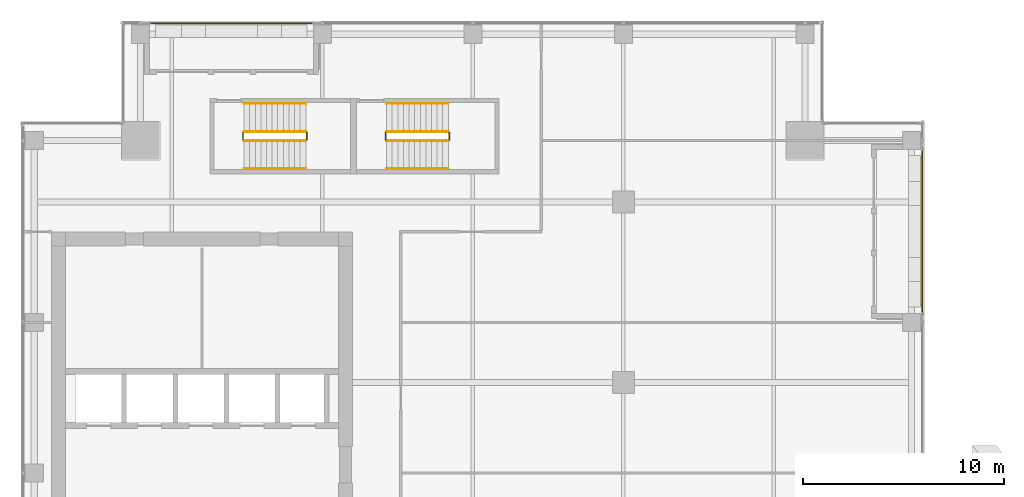
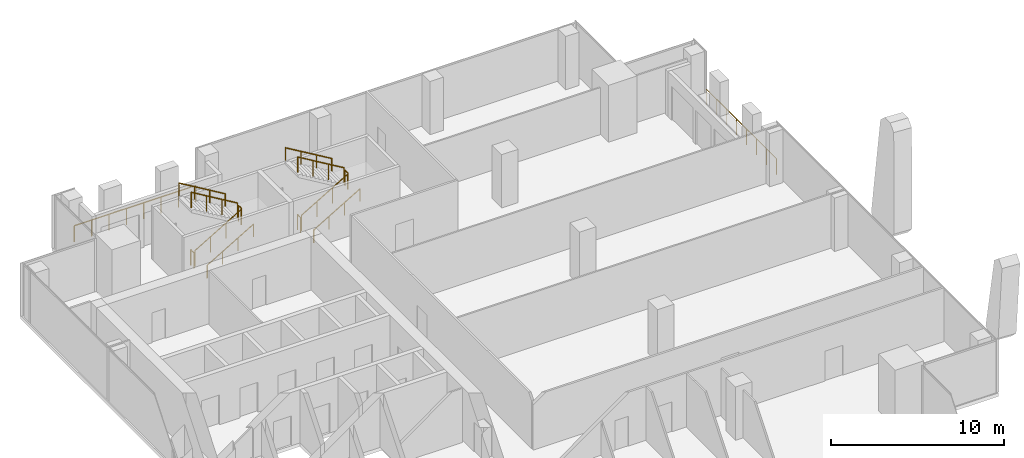
# One storey, part 34 of 35: 14 railings.
"""IFC4 building model written with IfcOpenShell, lengths in metres."""

import ifcopenshell
import ifcopenshell.guid

model = None  # the IFC model being written
_history = None  # IfcOwnerHistory: only IFC2X3 demands one
_inside = {}  # id of a spatial element -> (the spatial element, [elements in it])
_under = {}  # id of a project, library or spatial element -> (it, [spatial elements below it])
_declared = {}  # id of a project -> (the project, [libraries it declares])
_typed = {}  # id of a type object -> (the type object, [elements of that type])
_made_of = {}  # id of a material, layer set ... -> (it, [elements and type objects made of it])


def new_model(schema):
    """Start an empty IFC model of exactly this schema.

    Asked for "IFC4X3", IfcOpenShell would pick the latest addendum, in which some entities
    have other attributes; the version numbers below select the first issue.
    IFC2X3 requires an IfcOwnerHistory on every rooted entity: one is made here for all.
    """
    global model, _history
    if schema == "IFC4X3":
        model = ifcopenshell.file(schema_version=(4, 3, 0, 0))
    else:
        model = ifcopenshell.file(schema=schema)
    _inside.clear()
    _under.clear()
    _declared.clear()
    _typed.clear()
    _made_of.clear()
    _history = None
    if model.schema == "IFC2X3":
        org = make("IfcOrganization", Name="unknown")
        user = make(
            "IfcPersonAndOrganization",
            ThePerson=make("IfcPerson", FamilyName="unknown"),
            TheOrganization=org,
        )
        app = make(
            "IfcApplication",
            ApplicationDeveloper=org,
            Version="unknown",
            ApplicationFullName="unknown",
            ApplicationIdentifier="unknown",
        )
        _history = make(
            "IfcOwnerHistory",
            OwningUser=user,
            OwningApplication=app,
            ChangeAction="ADDED",
            CreationDate=0,
        )
    return model


def make(cls, **values):
    """One entity of the class cls with the attributes given. An attribute that is None is left unset."""
    return model.create_entity(
        cls, **{name: value for name, value in values.items() if value is not None}
    )


def rooted(cls, **values):
    """An entity with a GlobalId (a new one), such as an element, a storey or a relation."""
    return make(cls, GlobalId=ifcopenshell.guid.new(), OwnerHistory=_history, **values)


def si_unit(unit_type, name, prefix=None):
    """IfcSIUnit, for example si_unit("LENGTHUNIT", "METRE", prefix="MILLI")."""
    return make("IfcSIUnit", UnitType=unit_type, Prefix=prefix, Name=name)


def assignment(units):
    """IfcUnitAssignment: the units of a project."""
    return None if units is None else make("IfcUnitAssignment", Units=units)


def point(xyz):
    """IfcCartesianPoint."""
    return None if xyz is None else make("IfcCartesianPoint", Coordinates=xyz)


def direction(xyz):
    """IfcDirection."""
    return None if xyz is None else make("IfcDirection", DirectionRatios=xyz)


def frame(location, z_axis=None, x_axis=None):
    """IfcAxis2Placement3D, a coordinate frame: its origin and axes. An axis left out is left unset."""
    return make(
        "IfcAxis2Placement3D",
        Location=point(location),
        Axis=direction(z_axis),
        RefDirection=direction(x_axis),
    )


def frame_2d(location, x_axis=None):
    """IfcAxis2Placement2D, a coordinate frame in the plane: its origin and x axis."""
    return make(
        "IfcAxis2Placement2D", Location=point(location), RefDirection=direction(x_axis)
    )


def origin():
    """The frame at (0, 0, 0) with its axes left unset."""
    return frame((0.0, 0.0, 0.0))


def origin_2d():
    """The frame at (0, 0) in the plane with its x axis left unset."""
    return frame_2d((0.0, 0.0))


def place(relative_to, where):
    """IfcLocalPlacement: puts the frame where relative to a parent placement (None: the world)."""
    return make(
        "IfcLocalPlacement", PlacementRelTo=relative_to, RelativePlacement=where
    )


def context(
    kind, dimensions, precision=None, world=None, true_north=None, identifier=None
):
    """IfcGeometricRepresentationContext, for example the 3D "Model" context."""
    return make(
        "IfcGeometricRepresentationContext",
        ContextIdentifier=identifier,
        ContextType=kind,
        CoordinateSpaceDimension=dimensions,
        Precision=precision,
        WorldCoordinateSystem=world,
        TrueNorth=true_north,
    )


def subcontext(parent, identifier, kind, view, scale=None):
    """IfcGeometricRepresentationSubContext, for example "Body" below "Model"."""
    return make(
        "IfcGeometricRepresentationSubContext",
        ContextIdentifier=identifier,
        ContextType=kind,
        ParentContext=parent,
        TargetScale=scale,
        TargetView=view,
    )


def project(units=None, contexts=None):
    """IfcProject with its units and contexts."""
    return rooted(
        "IfcProject",
        Name="project",
        RepresentationContexts=contexts,
        UnitsInContext=assignment(units),
    )


def spatial(cls, under=None, at=None, **own):
    """A site, building, storey or space (cls), placed at a placement, below another one or the project."""
    s = rooted(cls, ObjectPlacement=at, **own)
    if under is not None:
        _under.setdefault(under.id(), (under, []))[1].append(s)
    return s


def profile(cls, at=None, kind="AREA", **sizes):
    """A parametric profile (cls). Its sizes go by their IFC names, for example OverallWidth=200.0."""
    return make(cls, ProfileType=kind, Position=at, **sizes)


def circle(**sizes):
    """IfcCircleProfileDef."""
    return profile("IfcCircleProfileDef", **sizes)


def extrude(swept, where, along, depth):
    """IfcExtrudedAreaSolid: the profile swept, set in the frame where, extruded along a direction by depth."""
    return make(
        "IfcExtrudedAreaSolid",
        SweptArea=swept,
        Position=where,
        ExtrudedDirection=direction(along),
        Depth=depth,
    )


def shape(context_of_items, identifier, shape_type, items):
    """IfcShapeRepresentation: the items that make up one representation, for example the "Body"."""
    return make(
        "IfcShapeRepresentation",
        ContextOfItems=context_of_items,
        RepresentationIdentifier=identifier,
        RepresentationType=shape_type,
        Items=items,
    )


def source(mapping_origin, context_of_items, identifier, shape_type, items):
    """IfcRepresentationMap: a shape defined once, which mapped items show again and again."""
    return make(
        "IfcRepresentationMap",
        MappingOrigin=mapping_origin,
        MappedRepresentation=shape(context_of_items, identifier, shape_type, items),
    )


def transform(
    local_origin,
    x_axis=None,
    y_axis=None,
    z_axis=None,
    scale=None,
    scale2=None,
    scale3=None,
    uniform=True,
):
    """IfcCartesianTransformationOperator3D, or its non-uniform kind. x_axis, y_axis, z_axis: its Axis1, 2, 3."""
    if uniform:
        return make(
            "IfcCartesianTransformationOperator3D",
            Axis1=direction(x_axis),
            Axis2=direction(y_axis),
            LocalOrigin=point(local_origin),
            Scale=scale,
            Axis3=direction(z_axis),
        )
    return make(
        "IfcCartesianTransformationOperator3DnonUniform",
        Axis1=direction(x_axis),
        Axis2=direction(y_axis),
        LocalOrigin=point(local_origin),
        Scale=scale,
        Axis3=direction(z_axis),
        Scale2=scale2,
        Scale3=scale3,
    )


def mapped(mapping_source, mapping_target):
    """IfcMappedItem: shows the shape of a source again, moved by a transform."""
    return make(
        "IfcMappedItem", MappingSource=mapping_source, MappingTarget=mapping_target
    )


def material(Name=None, Category=None):
    """IfcMaterial."""
    return make("IfcMaterial", Name=Name, Category=Category)


def made_of(thing, what):
    """Note that an element or type object is made of a material, layer set ...; save() writes the relation."""
    if what is not None:
        _made_of.setdefault(what.id(), (what, []))[1].append(thing)
    return thing


def type_object(cls, material=None, **own):
    """A type object (cls), such as IfcWallType, which elements share."""
    return made_of(rooted(cls, **own), material)


def element(
    cls,
    number,
    at=None,
    inside=None,
    cuts=None,
    type_object=None,
    material=None,
    context=None,
    identifier="Body",
    shape_type=None,
    held_by="IfcProductDefinitionShape",
    body=None,
    shapes=None,
    **own,
):
    """One element of the class cls, such as IfcWall. Its Tag is "e" and its number.

    at: its placement. inside: the storey or other place that contains it. cuts: it is an
    opening in that element (IfcRelVoidsElement). A single representation is given by context,
    identifier, shape_type and body (its items); several are given by shapes. held_by: the class
    of the entity that holds the representations. save() writes the other relations.
    """
    e = rooted(cls, Tag="e%d" % number, ObjectPlacement=at, **own)
    if body is not None:
        shapes = [shape(context, identifier, shape_type, body)]
    if shapes is not None:
        e.Representation = make(held_by, Representations=shapes)
    if inside is not None:
        _inside.setdefault(inside.id(), (inside, []))[1].append(e)
    if cuts is not None:
        rooted(
            "IfcRelVoidsElement", RelatingBuildingElement=cuts, RelatedOpeningElement=e
        )
    if type_object is not None:
        _typed.setdefault(type_object.id(), (type_object, []))[1].append(e)
    return made_of(e, material)


def aggregate(whole, parts):
    """IfcRelAggregates: a whole, such as a stair, and the parts it consists of."""
    return rooted("IfcRelAggregates", RelatingObject=whole, RelatedObjects=parts)


def save(model, path):
    """Write the relations noted so far, then the file.

    IfcRelAggregates (storeys below a building ...), IfcRelContainedInSpatialStructure (elements
    in a storey), IfcRelDefinesByType, IfcRelAssociatesMaterial and IfcRelDeclares: one each for
    every whole, place, type object, material and project.
    """
    for whole, parts in _under.values():
        aggregate(whole, parts)
    for where, things in _inside.values():
        rooted(
            "IfcRelContainedInSpatialStructure",
            RelatedElements=things,
            RelatingStructure=where,
        )
    for kind, things in _typed.values():
        rooted("IfcRelDefinesByType", RelatedObjects=things, RelatingType=kind)
    for what, things in _made_of.values():
        rooted("IfcRelAssociatesMaterial", RelatedObjects=things, RelatingMaterial=what)
    for by, libraries in _declared.values():
        rooted("IfcRelDeclares", RelatingContext=by, RelatedDefinitions=libraries)
    model.write(path)


model = new_model("IFC4")

# Units and contexts
model_context = context("Model", 3, precision=1e-05, world=origin(), true_north=direction((0.0, 1.0)))
body_context = subcontext(model_context, "Body", "Model", "MODEL_VIEW")
ifc_project = project(units=[si_unit("LENGTHUNIT", "METRE"), si_unit("AREAUNIT", "SQUARE_METRE"), si_unit("VOLUMEUNIT", "CUBIC_METRE"), si_unit("PLANEANGLEUNIT", "RADIAN"), si_unit("MASSUNIT", "GRAM", prefix="KILO")], contexts=[model_context])

# Site, building, storey
site_placement = place(None, origin())
site = spatial("IfcSite", under=ifc_project, at=site_placement, CompositionType="ELEMENT")
building_placement = place(site_placement, origin())
building = spatial("IfcBuilding", under=site, at=building_placement, Name="Khomas Fold Tower", CompositionType="ELEMENT")
storey_placement = place(building_placement, frame((0.0, 0.0, 250.199951171875)))
storey = spatial("IfcBuildingStorey", under=building, at=storey_placement, Name="L56", CompositionType="ELEMENT", Elevation=250.199951171875)

# Railings
ifc_material_1 = material(Name="Powder-coated steel", Category="steel")
railing_type_1 = type_object("IfcRailingType", Name="Balcony guard", PredefinedType="GUARDRAIL", material=ifc_material_1)
shared_shape_1 = source(origin(), body_context, "Body", "SweptSolid", [
    extrude(circle(Radius=0.02490234375, at=origin_2d()), frame((0.0, 0.0, 1.125), z_axis=(1.0, 0.0, 0.0), x_axis=(0.0, 1.0, 0.0)), (0.0, 0.0, 1.0), 8.090087890625),
    extrude(circle(Radius=0.02001953125, at=origin_2d()), origin(), (0.0, 0.0, 1.0), 1.099853515625),
    extrude(circle(Radius=0.02001953125, at=origin_2d()), frame((1.15576171875, 0.0, 0.0)), (0.0, 0.0, 1.0), 1.099853515625),
    extrude(circle(Radius=0.02001953125, at=origin_2d()), frame((2.3115234375, 0.0, 0.0)), (0.0, 0.0, 1.0), 1.099853515625),
    extrude(circle(Radius=0.02001953125, at=origin_2d()), frame((3.46728515625, 0.0, 0.0)), (0.0, 0.0, 1.0), 1.099853515625),
    extrude(circle(Radius=0.02001953125, at=origin_2d()), frame((4.622802734375, 0.0, 0.0)), (0.0, 0.0, 1.0), 1.099853515625),
    extrude(circle(Radius=0.02001953125, at=origin_2d()), frame((5.778564453125, 0.0, 0.0)), (0.0, 0.0, 1.0), 1.099853515625),
    extrude(circle(Radius=0.02001953125, at=origin_2d()), frame((6.934326171875, 0.0, 0.0)), (0.0, 0.0, 1.0), 1.099853515625),
    extrude(circle(Radius=0.02001953125, at=origin_2d()), frame((8.090087890625, 0.0, 0.0)), (0.0, 0.0, 1.0), 1.099853515625),
])
railing_1_placement = place(storey_placement, frame((10.929931640625, 49.39990234375, -0.044921875)))
element("IfcRailing", 1, at=railing_1_placement, inside=storey, type_object=railing_type_1, Name="Balcony guard BAL-L56-N1", PredefinedType="GUARDRAIL", context=body_context, shape_type="MappedRepresentation", body=[
    mapped(shared_shape_1, transform((0.0, 0.0, 0.0))),
])
shared_shape_2 = source(origin(), body_context, "Body", "SweptSolid", [
    extrude(circle(Radius=0.02490234375, at=origin_2d()), frame((0.0, 0.0, 1.125), z_axis=(0.0, 1.0, 0.0), x_axis=(-1.0, 0.0, 0.0)), (0.0, 0.0, 1.0), 8.090087890625),
    extrude(circle(Radius=0.02001953125, at=origin_2d()), origin(), (0.0, 0.0, 1.0), 1.099853515625),
    extrude(circle(Radius=0.02001953125, at=origin_2d()), frame((0.0, 1.15576171875, 0.0)), (0.0, 0.0, 1.0), 1.099853515625),
    extrude(circle(Radius=0.02001953125, at=origin_2d()), frame((0.0, 2.3115234375, 0.0)), (0.0, 0.0, 1.0), 1.099853515625),
    extrude(circle(Radius=0.02001953125, at=origin_2d()), frame((0.0, 3.46728515625, 0.0)), (0.0, 0.0, 1.0), 1.099853515625),
    extrude(circle(Radius=0.02001953125, at=origin_2d()), frame((0.0, 4.622802734375, 0.0)), (0.0, 0.0, 1.0), 1.099853515625),
    extrude(circle(Radius=0.02001953125, at=origin_2d()), frame((0.0, 5.778564453125, 0.0)), (0.0, 0.0, 1.0), 1.099853515625),
    extrude(circle(Radius=0.02001953125, at=origin_2d()), frame((0.0, 6.934326171875, 0.0)), (0.0, 0.0, 1.0), 1.099853515625),
    extrude(circle(Radius=0.02001953125, at=origin_2d()), frame((0.0, 8.090087890625, 0.0)), (0.0, 0.0, 1.0), 1.099853515625),
])
railing_2_placement = place(storey_placement, frame((49.39990234375, 34.97998046875, -0.044921875)))
element("IfcRailing", 2, at=railing_2_placement, inside=storey, type_object=railing_type_1, Name="Balcony guard BAL-L56-E4", PredefinedType="GUARDRAIL", context=body_context, shape_type="MappedRepresentation", body=[
    mapped(shared_shape_2, transform((0.0, 0.0, 0.0))),
])
ifc_material_2 = material(Name="Steel balustrade", Category="steel")
railing_type_2 = type_object("IfcRailingType", Name="Stair guard", PredefinedType="GUARDRAIL", material=ifc_material_2)
shared_shape_3 = source(origin(), body_context, "Body", "SweptSolid", [
    extrude(circle(Radius=0.02392578125, at=origin_2d()), frame((0.0, 0.0, 1.076171875), z_axis=(0.0, 1.0, 0.0), x_axis=(-1.0, 0.0, 0.0)), (0.0, 0.0, 1.0), 0.349853515625),
    extrude(circle(Radius=0.02099609375, at=origin_2d()), origin(), (0.0, 0.0, 1.0), 1.052001953125),
    extrude(circle(Radius=0.02099609375, at=origin_2d()), frame((0.0, 0.349853515625, 0.0)), (0.0, 0.0, 1.0), 1.052001953125),
])
for number, where, name in (
    (3, (18.72998046875, 43.60009765625, 2.0), "L56 ST1 stair guard 2"),
    (4, (15.550048828125, 43.60009765625, 0.0), "L56 ST1 stair guard 4"),
    (5, (25.830078125, 43.60009765625, 2.0), "L56 ST3 stair guard 2"),
    (6, (22.64990234375, 43.60009765625, 0.0), "L56 ST3 stair guard 4"),
):
    element("IfcRailing", number, at=place(storey_placement, frame(where)), inside=storey, type_object=railing_type_2, Name=name, PredefinedType="GUARDRAIL", context=body_context, shape_type="MappedRepresentation", body=[
        mapped(shared_shape_3, transform((0.0, 0.0, 0.0))),
    ])
shared_shape_4 = source(origin(), body_context, "Body", "SweptSolid", [
    extrude(circle(Radius=0.02392578125, at=origin_2d()), frame((0.0, 0.0, 1.076171875), z_axis=(0.859290745958, 0.0, 0.51148745235), x_axis=(0.0, 1.0, 0.0)), (0.0, 0.0, 1.0), 3.584228515625),
    extrude(circle(Radius=0.02099609375, at=origin_2d()), origin(), (0.0, 0.0, 1.0), 1.052001953125),
    extrude(circle(Radius=0.02099609375, at=origin_2d()), frame((1.026611328125, 0.0, 0.611083984375)), (0.0, 0.0, 1.0), 1.052001953125),
    extrude(circle(Radius=0.02099609375, at=origin_2d()), frame((2.05322265625, 0.0, 1.22216796875)), (0.0, 0.0, 1.0), 1.052001953125),
    extrude(circle(Radius=0.02099609375, at=origin_2d()), frame((3.079833984375, 0.0, 1.833251953125)), (0.0, 0.0, 1.0), 1.052001953125),
])
railing_3_placement = place(storey_placement, frame((15.60009765625, 43.550048828125, 0.166748046875)))
element("IfcRailing", 7, at=railing_3_placement, inside=storey, type_object=railing_type_2, Name="L56 ST1 stair guard 1", PredefinedType="GUARDRAIL", context=body_context, shape_type="MappedRepresentation", body=[
    mapped(shared_shape_4, transform((0.0, 0.0, 0.0))),
])
shared_shape_5 = source(origin(), body_context, "Body", "SweptSolid", [
    extrude(circle(Radius=0.02392578125, at=origin_2d()), frame((0.0, 0.0, 1.076171875), z_axis=(-0.859290745958, 0.0, 0.51148745235), x_axis=(0.0, -1.0, 0.0)), (0.0, 0.0, 1.0), 3.584228515625),
    extrude(circle(Radius=0.02099609375, at=origin_2d()), origin(), (0.0, 0.0, 1.0), 1.052001953125),
    extrude(circle(Radius=0.02099609375, at=origin_2d()), frame((-1.026611328125, 0.0, 0.611083984375)), (0.0, 0.0, 1.0), 1.052001953125),
    extrude(circle(Radius=0.02099609375, at=origin_2d()), frame((-2.05322265625, 0.0, 1.22216796875)), (0.0, 0.0, 1.0), 1.052001953125),
    extrude(circle(Radius=0.02099609375, at=origin_2d()), frame((-3.079833984375, 0.0, 1.833251953125)), (0.0, 0.0, 1.0), 1.052001953125),
])
railing_4_placement = place(storey_placement, frame((18.679931640625, 44.0, 2.166748046875)))
element("IfcRailing", 8, at=railing_4_placement, inside=storey, type_object=railing_type_2, Name="L56 ST1 stair guard 3", PredefinedType="GUARDRAIL", context=body_context, shape_type="MappedRepresentation", body=[
    mapped(shared_shape_5, transform((0.0, 0.0, 0.0))),
])
ifc_material_3 = material(Name="Steel handrail", Category="steel")
railing_type_3 = type_object("IfcRailingType", Name="Stair handrail", PredefinedType="HANDRAIL", material=ifc_material_3)
shared_shape_6 = source(origin(), body_context, "Body", "SweptSolid", [
    extrude(circle(Radius=0.02392578125, at=origin_2d()), frame((0.0, 0.0, 0.8759765625), z_axis=(0.859290745958, 0.0, 0.51148745235), x_axis=(0.0, 1.0, 0.0)), (0.0, 0.0, 1.0), 3.584228515625),
    extrude(circle(Radius=0.02099609375, at=origin_2d()), origin(), (0.0, 0.0, 1.0), 0.851806640625),
    extrude(circle(Radius=0.02099609375, at=origin_2d()), frame((1.026611328125, 0.0, 0.611083984375)), (0.0, 0.0, 1.0), 0.851806640625),
    extrude(circle(Radius=0.02099609375, at=origin_2d()), frame((2.05322265625, 0.0, 1.22216796875)), (0.0, 0.0, 1.0), 0.851806640625),
    extrude(circle(Radius=0.02099609375, at=origin_2d()), frame((3.079833984375, 0.0, 1.833251953125)), (0.0, 0.0, 1.0), 0.851806640625),
])
railing_5_placement = place(storey_placement, frame((15.60009765625, 42.14990234375, 0.166748046875)))
element("IfcRailing", 9, at=railing_5_placement, inside=storey, type_object=railing_type_3, Name="L56 ST1 stair handrail 1", PredefinedType="HANDRAIL", context=body_context, shape_type="MappedRepresentation", body=[
    mapped(shared_shape_6, transform((0.0, 0.0, 0.0))),
])
shared_shape_7 = source(origin(), body_context, "Body", "SweptSolid", [
    extrude(circle(Radius=0.02392578125, at=origin_2d()), frame((0.0, 0.0, 0.8759765625), z_axis=(-0.859290745958, 0.0, 0.51148745235), x_axis=(0.0, -1.0, 0.0)), (0.0, 0.0, 1.0), 3.584228515625),
    extrude(circle(Radius=0.02099609375, at=origin_2d()), origin(), (0.0, 0.0, 1.0), 0.851806640625),
    extrude(circle(Radius=0.02099609375, at=origin_2d()), frame((-1.026611328125, 0.0, 0.611083984375)), (0.0, 0.0, 1.0), 0.851806640625),
    extrude(circle(Radius=0.02099609375, at=origin_2d()), frame((-2.05322265625, 0.0, 1.22216796875)), (0.0, 0.0, 1.0), 0.851806640625),
    extrude(circle(Radius=0.02099609375, at=origin_2d()), frame((-3.079833984375, 0.0, 1.833251953125)), (0.0, 0.0, 1.0), 0.851806640625),
])
railing_6_placement = place(storey_placement, frame((18.679931640625, 45.39990234375, 2.166748046875)))
element("IfcRailing", 10, at=railing_6_placement, inside=storey, type_object=railing_type_3, Name="L56 ST1 stair handrail 2", PredefinedType="HANDRAIL", context=body_context, shape_type="MappedRepresentation", body=[
    mapped(shared_shape_7, transform((0.0, 0.0, 0.0))),
])
shared_shape_8 = source(origin(), body_context, "Body", "SweptSolid", [
    extrude(circle(Radius=0.02392578125, at=origin_2d()), frame((0.0, 0.0, 1.076171875), z_axis=(0.859308565015, 0.0, 0.511457515432), x_axis=(0.0, 1.0, 0.0)), (0.0, 0.0, 1.0), 3.58447265625),
    extrude(circle(Radius=0.02099609375, at=origin_2d()), origin(), (0.0, 0.0, 1.0), 1.052001953125),
    extrude(circle(Radius=0.02099609375, at=origin_2d()), frame((1.026611328125, 0.0, 0.611083984375)), (0.0, 0.0, 1.0), 1.052001953125),
    extrude(circle(Radius=0.02099609375, at=origin_2d()), frame((2.053466796875, 0.0, 1.22216796875)), (0.0, 0.0, 1.0), 1.052001953125),
    extrude(circle(Radius=0.02099609375, at=origin_2d()), frame((3.080078125, 0.0, 1.833251953125)), (0.0, 0.0, 1.0), 1.052001953125),
])
railing_7_placement = place(storey_placement, frame((22.699951171875, 43.550048828125, 0.166748046875)))
element("IfcRailing", 11, at=railing_7_placement, inside=storey, type_object=railing_type_2, Name="L56 ST3 stair guard 1", PredefinedType="GUARDRAIL", context=body_context, shape_type="MappedRepresentation", body=[
    mapped(shared_shape_8, transform((0.0, 0.0, 0.0))),
])
shared_shape_9 = source(origin(), body_context, "Body", "SweptSolid", [
    extrude(circle(Radius=0.02392578125, at=origin_2d()), frame((0.0, 0.0, 1.076171875), z_axis=(-0.859308565015, 0.0, 0.511457515432), x_axis=(0.0, -1.0, 0.0)), (0.0, 0.0, 1.0), 3.58447265625),
    extrude(circle(Radius=0.02099609375, at=origin_2d()), origin(), (0.0, 0.0, 1.0), 1.052001953125),
    extrude(circle(Radius=0.02099609375, at=origin_2d()), frame((-1.026611328125, 0.0, 0.611083984375)), (0.0, 0.0, 1.0), 1.052001953125),
    extrude(circle(Radius=0.02099609375, at=origin_2d()), frame((-2.053466796875, 0.0, 1.22216796875)), (0.0, 0.0, 1.0), 1.052001953125),
    extrude(circle(Radius=0.02099609375, at=origin_2d()), frame((-3.080078125, 0.0, 1.833251953125)), (0.0, 0.0, 1.0), 1.052001953125),
])
railing_8_placement = place(storey_placement, frame((25.780029296875, 44.0, 2.166748046875)))
element("IfcRailing", 12, at=railing_8_placement, inside=storey, type_object=railing_type_2, Name="L56 ST3 stair guard 3", PredefinedType="GUARDRAIL", context=body_context, shape_type="MappedRepresentation", body=[
    mapped(shared_shape_9, transform((0.0, 0.0, 0.0))),
])
shared_shape_10 = source(origin(), body_context, "Body", "SweptSolid", [
    extrude(circle(Radius=0.02392578125, at=origin_2d()), frame((0.0, 0.0, 0.8759765625), z_axis=(0.859308565015, 0.0, 0.511457515432), x_axis=(0.0, 1.0, 0.0)), (0.0, 0.0, 1.0), 3.58447265625),
    extrude(circle(Radius=0.02099609375, at=origin_2d()), origin(), (0.0, 0.0, 1.0), 0.851806640625),
    extrude(circle(Radius=0.02099609375, at=origin_2d()), frame((1.026611328125, 0.0, 0.611083984375)), (0.0, 0.0, 1.0), 0.851806640625),
    extrude(circle(Radius=0.02099609375, at=origin_2d()), frame((2.053466796875, 0.0, 1.22216796875)), (0.0, 0.0, 1.0), 0.851806640625),
    extrude(circle(Radius=0.02099609375, at=origin_2d()), frame((3.080078125, 0.0, 1.833251953125)), (0.0, 0.0, 1.0), 0.851806640625),
])
railing_9_placement = place(storey_placement, frame((22.699951171875, 42.14990234375, 0.166748046875)))
element("IfcRailing", 13, at=railing_9_placement, inside=storey, type_object=railing_type_3, Name="L56 ST3 stair handrail 1", PredefinedType="HANDRAIL", context=body_context, shape_type="MappedRepresentation", body=[
    mapped(shared_shape_10, transform((0.0, 0.0, 0.0))),
])
shared_shape_11 = source(origin(), body_context, "Body", "SweptSolid", [
    extrude(circle(Radius=0.02392578125, at=origin_2d()), frame((0.0, 0.0, 0.8759765625), z_axis=(-0.859308565015, 0.0, 0.511457515432), x_axis=(0.0, -1.0, 0.0)), (0.0, 0.0, 1.0), 3.58447265625),
    extrude(circle(Radius=0.02099609375, at=origin_2d()), origin(), (0.0, 0.0, 1.0), 0.851806640625),
    extrude(circle(Radius=0.02099609375, at=origin_2d()), frame((-1.026611328125, 0.0, 0.611083984375)), (0.0, 0.0, 1.0), 0.851806640625),
    extrude(circle(Radius=0.02099609375, at=origin_2d()), frame((-2.053466796875, 0.0, 1.22216796875)), (0.0, 0.0, 1.0), 0.851806640625),
    extrude(circle(Radius=0.02099609375, at=origin_2d()), frame((-3.080078125, 0.0, 1.833251953125)), (0.0, 0.0, 1.0), 0.851806640625),
])
railing_10_placement = place(storey_placement, frame((25.780029296875, 45.39990234375, 2.166748046875)))
element("IfcRailing", 14, at=railing_10_placement, inside=storey, type_object=railing_type_3, Name="L56 ST3 stair handrail 2", PredefinedType="HANDRAIL", context=body_context, shape_type="MappedRepresentation", body=[
    mapped(shared_shape_11, transform((0.0, 0.0, 0.0))),
])

save(model, "model.ifc")
